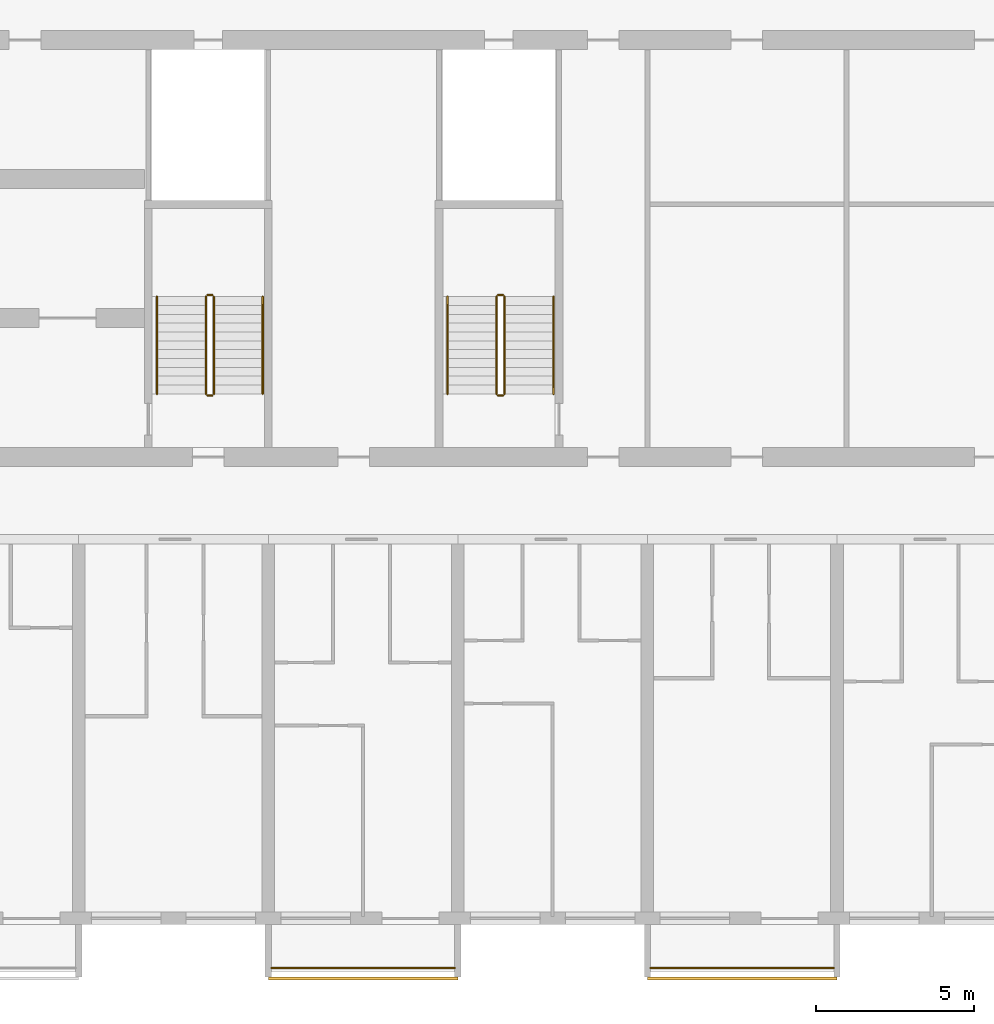
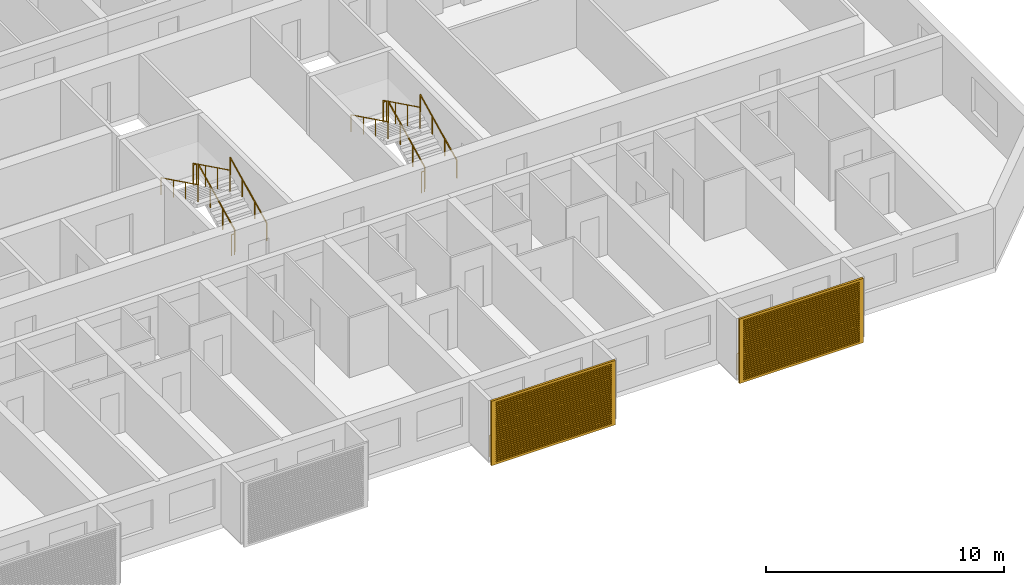
# One storey, part 30 of 38: 14 railings, 2 shading devices.
"""IFC4 building model written with IfcOpenShell, lengths in metres."""

from ifc_helpers import new_model, si_unit, direction, frame, origin, origin_2d, place, context, subcontext, project, spatial, polyline, circle, outline, extrude, source, transform, mapped, material, material_profile, profile_set, type_object, element, save


model = new_model("IFC4")

# Units and contexts
model_context = context("Model", 3, precision=1e-05, world=origin(), true_north=direction((0.0, 1.0)))
body_context = subcontext(model_context, "Body", "Model", "MODEL_VIEW")
ifc_project = project(units=[si_unit("LENGTHUNIT", "METRE"), si_unit("AREAUNIT", "SQUARE_METRE"), si_unit("VOLUMEUNIT", "CUBIC_METRE"), si_unit("PLANEANGLEUNIT", "RADIAN"), si_unit("MASSUNIT", "GRAM", prefix="KILO")], contexts=[model_context])

# Site, building, storey
site_placement = place(None, origin())
site = spatial("IfcSite", under=ifc_project, at=site_placement, CompositionType="ELEMENT")
building_placement = place(site_placement, origin())
building = spatial("IfcBuilding", under=site, at=building_placement, Name="Poui Terraces", CompositionType="ELEMENT")
storey_placement = place(building_placement, frame((0.0, 0.0, 43.199951171875)))
storey = spatial("IfcBuildingStorey", under=building, at=storey_placement, Name="L11", CompositionType="ELEMENT", Elevation=43.199951171875)

# Railings
ifc_material_1 = material(Name="Painted steel fretwork", Category="steel")
railing_type_1 = type_object("IfcRailingType", Name="BALCONY GUARD 1100", PredefinedType="GUARDRAIL", material=ifc_material_1)
for number, where, name in (
    (1, (72.10009765625, -1.570068359375, 0.0), "BALCONY GUARD"),
    (2, (84.10009765625, -1.570068359375, 0.0), "BALCONY GUARD"),
):
    element("IfcRailing", number, at=place(storey_placement, frame(where)), inside=storey, type_object=railing_type_1, Name=name, PredefinedType="GUARDRAIL", context=body_context, shape_type="SweptSolid", body=[
        extrude(circle(Radius=0.02392578125, at=origin_2d()), frame((0.0, 0.0, 1.076171875), z_axis=(1.0, 0.0, 0.0), x_axis=(0.0, 1.0, 0.0)), (0.0, 0.0, 1.0), 5.7998046875),
        extrude(circle(Radius=0.02099609375, at=origin_2d()), origin(), (0.0, 0.0, 1.0), 1.052001953125),
        extrude(circle(Radius=0.02099609375, at=origin_2d()), frame((0.966552734375, 0.0, 0.0)), (0.0, 0.0, 1.0), 1.052001953125),
        extrude(circle(Radius=0.02099609375, at=origin_2d()), frame((1.933349609375, 0.0, 0.0)), (0.0, 0.0, 1.0), 1.052001953125),
        extrude(circle(Radius=0.02099609375, at=origin_2d()), frame((2.89990234375, 0.0, 0.0)), (0.0, 0.0, 1.0), 1.052001953125),
        extrude(circle(Radius=0.02099609375, at=origin_2d()), frame((3.866455078125, 0.0, 0.0)), (0.0, 0.0, 1.0), 1.052001953125),
        extrude(circle(Radius=0.02099609375, at=origin_2d()), frame((4.833251953125, 0.0, 0.0)), (0.0, 0.0, 1.0), 1.052001953125),
        extrude(circle(Radius=0.02099609375, at=origin_2d()), frame((5.7998046875, 0.0, 0.0)), (0.0, 0.0, 1.0), 1.052001953125),
    ])
ifc_material_2 = material(Name="Galvanised steel balustrade", Category="steel")
railing_type_2 = type_object("IfcRailingType", Name="STAIR GUARD 1100", PredefinedType="GUARDRAIL", material=ifc_material_2)
railing_1_placement = place(storey_placement, frame((70.27490234375, 16.60009765625, 0.137451171875)))
element("IfcRailing", 3, at=railing_1_placement, inside=storey, type_object=railing_type_2, Name="L11 ST-CE stair guard 1", PredefinedType="GUARDRAIL", context=body_context, shape_type="SweptSolid", body=[
    extrude(circle(Radius=0.02392578125, at=origin_2d()), frame((0.0, 0.0, 1.076171875), z_axis=(0.0, 0.897578036475, 0.440855609512), x_axis=(-1.0, 0.0, 0.0)), (0.0, 0.0, 1.0), 3.43115234375),
    extrude(circle(Radius=0.02099609375, at=origin_2d()), origin(), (0.0, 0.0, 1.0), 1.052001953125),
    extrude(circle(Radius=0.02099609375, at=origin_2d()), frame((0.0, 1.026611328125, 0.504150390625)), (0.0, 0.0, 1.0), 1.052001953125),
    extrude(circle(Radius=0.02099609375, at=origin_2d()), frame((0.0, 2.05322265625, 1.008544921875)), (0.0, 0.0, 1.0), 1.052001953125),
    extrude(circle(Radius=0.02099609375, at=origin_2d()), frame((0.0, 3.079833984375, 1.5126953125)), (0.0, 0.0, 1.0), 1.052001953125),
])
railing_2_placement = place(storey_placement, frame((70.22509765625, 19.72998046875, 1.650146484375)))
element("IfcRailing", 4, at=railing_2_placement, inside=storey, type_object=railing_type_2, Name="L11 ST-CE stair guard 2", PredefinedType="GUARDRAIL", context=body_context, shape_type="SweptSolid", body=[
    extrude(circle(Radius=0.02392578125, at=origin_2d()), frame((0.0, 0.0, 1.076171875), z_axis=(-1.0, 0.0, 0.0), x_axis=(0.0, -1.0, 0.0)), (0.0, 0.0, 1.0), 0.150146484375),
    extrude(circle(Radius=0.02099609375, at=origin_2d()), origin(), (0.0, 0.0, 1.0), 1.052001953125),
    extrude(circle(Radius=0.02099609375, at=origin_2d()), frame((-0.150146484375, 0.0, 0.0)), (0.0, 0.0, 1.0), 1.052001953125),
])
railing_3_placement = place(storey_placement, frame((70.02490234375, 19.679931640625, 1.78759765625)))
element("IfcRailing", 5, at=railing_3_placement, inside=storey, type_object=railing_type_2, Name="L11 ST-CE stair guard 3", PredefinedType="GUARDRAIL", context=body_context, shape_type="SweptSolid", body=[
    extrude(circle(Radius=0.02392578125, at=origin_2d()), frame((0.0, 0.0, 1.076171875), z_axis=(0.0, -0.897606190399, 0.440798283751), x_axis=(1.0, 0.0, 0.0)), (0.0, 0.0, 1.0), 3.43115234375),
    extrude(circle(Radius=0.02099609375, at=origin_2d()), origin(), (0.0, 0.0, 1.0), 1.052001953125),
    extrude(circle(Radius=0.02099609375, at=origin_2d()), frame((0.0, -1.026611328125, 0.504150390625)), (0.0, 0.0, 1.0), 1.052001953125),
    extrude(circle(Radius=0.02099609375, at=origin_2d()), frame((0.0, -2.05322265625, 1.00830078125)), (0.0, 0.0, 1.0), 1.052001953125),
    extrude(circle(Radius=0.02099609375, at=origin_2d()), frame((0.0, -3.079833984375, 1.512451171875)), (0.0, 0.0, 1.0), 1.052001953125),
])
railing_4_placement = place(storey_placement, frame((70.22509765625, 16.550048828125, 0.0)))
element("IfcRailing", 6, at=railing_4_placement, inside=storey, type_object=railing_type_2, Name="L11 ST-CE stair guard 4", PredefinedType="GUARDRAIL", context=body_context, shape_type="SweptSolid", body=[
    extrude(circle(Radius=0.02392578125, at=origin_2d()), frame((0.0, 0.0, 1.076171875), z_axis=(-1.0, 0.0, 0.0), x_axis=(0.0, -1.0, 0.0)), (0.0, 0.0, 1.0), 0.150146484375),
    extrude(circle(Radius=0.02099609375, at=origin_2d()), origin(), (0.0, 0.0, 1.0), 1.052001953125),
    extrude(circle(Radius=0.02099609375, at=origin_2d()), frame((-0.150146484375, 0.0, 0.0)), (0.0, 0.0, 1.0), 1.052001953125),
])
railing_5_placement = place(storey_placement, frame((79.47509765625, 16.60009765625, 0.137451171875)))
element("IfcRailing", 7, at=railing_5_placement, inside=storey, type_object=railing_type_2, Name="L11 ST-E stair guard 1", PredefinedType="GUARDRAIL", context=body_context, shape_type="SweptSolid", body=[
    extrude(circle(Radius=0.02392578125, at=origin_2d()), frame((0.0, 0.0, 1.076171875), z_axis=(0.0, 0.897578036475, 0.440855609512), x_axis=(-1.0, 0.0, 0.0)), (0.0, 0.0, 1.0), 3.43115234375),
    extrude(circle(Radius=0.02099609375, at=origin_2d()), origin(), (0.0, 0.0, 1.0), 1.052001953125),
    extrude(circle(Radius=0.02099609375, at=origin_2d()), frame((0.0, 1.026611328125, 0.504150390625)), (0.0, 0.0, 1.0), 1.052001953125),
    extrude(circle(Radius=0.02099609375, at=origin_2d()), frame((0.0, 2.05322265625, 1.008544921875)), (0.0, 0.0, 1.0), 1.052001953125),
    extrude(circle(Radius=0.02099609375, at=origin_2d()), frame((0.0, 3.079833984375, 1.5126953125)), (0.0, 0.0, 1.0), 1.052001953125),
])
railing_6_placement = place(storey_placement, frame((79.425048828125, 19.72998046875, 1.650146484375)))
element("IfcRailing", 8, at=railing_6_placement, inside=storey, type_object=railing_type_2, Name="L11 ST-E stair guard 2", PredefinedType="GUARDRAIL", context=body_context, shape_type="SweptSolid", body=[
    extrude(circle(Radius=0.02392578125, at=origin_2d()), frame((0.0, 0.0, 1.076171875), z_axis=(-1.0, 0.0, 0.0), x_axis=(0.0, -1.0, 0.0)), (0.0, 0.0, 1.0), 0.150146484375),
    extrude(circle(Radius=0.02099609375, at=origin_2d()), origin(), (0.0, 0.0, 1.0), 1.052001953125),
    extrude(circle(Radius=0.02099609375, at=origin_2d()), frame((-0.150146484375, 0.0, 0.0)), (0.0, 0.0, 1.0), 1.052001953125),
])
railing_7_placement = place(storey_placement, frame((79.22509765625, 19.679931640625, 1.78759765625)))
element("IfcRailing", 9, at=railing_7_placement, inside=storey, type_object=railing_type_2, Name="L11 ST-E stair guard 3", PredefinedType="GUARDRAIL", context=body_context, shape_type="SweptSolid", body=[
    extrude(circle(Radius=0.02392578125, at=origin_2d()), frame((0.0, 0.0, 1.076171875), z_axis=(0.0, -0.897606190399, 0.440798283751), x_axis=(1.0, 0.0, 0.0)), (0.0, 0.0, 1.0), 3.43115234375),
    extrude(circle(Radius=0.02099609375, at=origin_2d()), origin(), (0.0, 0.0, 1.0), 1.052001953125),
    extrude(circle(Radius=0.02099609375, at=origin_2d()), frame((0.0, -1.026611328125, 0.504150390625)), (0.0, 0.0, 1.0), 1.052001953125),
    extrude(circle(Radius=0.02099609375, at=origin_2d()), frame((0.0, -2.05322265625, 1.00830078125)), (0.0, 0.0, 1.0), 1.052001953125),
    extrude(circle(Radius=0.02099609375, at=origin_2d()), frame((0.0, -3.079833984375, 1.512451171875)), (0.0, 0.0, 1.0), 1.052001953125),
])
railing_8_placement = place(storey_placement, frame((79.425048828125, 16.550048828125, 0.0)))
element("IfcRailing", 10, at=railing_8_placement, inside=storey, type_object=railing_type_2, Name="L11 ST-E stair guard 4", PredefinedType="GUARDRAIL", context=body_context, shape_type="SweptSolid", body=[
    extrude(circle(Radius=0.02392578125, at=origin_2d()), frame((0.0, 0.0, 1.076171875), z_axis=(-1.0, 0.0, 0.0), x_axis=(0.0, -1.0, 0.0)), (0.0, 0.0, 1.0), 0.150146484375),
    extrude(circle(Radius=0.02099609375, at=origin_2d()), origin(), (0.0, 0.0, 1.0), 1.052001953125),
    extrude(circle(Radius=0.02099609375, at=origin_2d()), frame((-0.150146484375, 0.0, 0.0)), (0.0, 0.0, 1.0), 1.052001953125),
])
ifc_material_3 = material(Name="Stainless steel handrail", Category="steel")
railing_type_3 = type_object("IfcRailingType", Name="STAIR HANDRAIL 900", PredefinedType="HANDRAIL", material=ifc_material_3)
railing_9_placement = place(storey_placement, frame((71.824951171875, 16.60009765625, 0.137451171875)))
element("IfcRailing", 11, at=railing_9_placement, inside=storey, type_object=railing_type_3, Name="L11 ST-CE stair handrail 1", PredefinedType="HANDRAIL", context=body_context, shape_type="SweptSolid", body=[
    extrude(circle(Radius=0.02392578125, at=origin_2d()), frame((0.0, 0.0, 0.8759765625), z_axis=(0.0, 0.897578036475, 0.440855609512), x_axis=(-1.0, 0.0, 0.0)), (0.0, 0.0, 1.0), 3.43115234375),
    extrude(circle(Radius=0.02099609375, at=origin_2d()), origin(), (0.0, 0.0, 1.0), 0.851806640625),
    extrude(circle(Radius=0.02099609375, at=origin_2d()), frame((0.0, 1.026611328125, 0.504150390625)), (0.0, 0.0, 1.0), 0.851806640625),
    extrude(circle(Radius=0.02099609375, at=origin_2d()), frame((0.0, 2.05322265625, 1.008544921875)), (0.0, 0.0, 1.0), 0.851806640625),
    extrude(circle(Radius=0.02099609375, at=origin_2d()), frame((0.0, 3.079833984375, 1.5126953125)), (0.0, 0.0, 1.0), 0.851806640625),
])
railing_10_placement = place(storey_placement, frame((68.47509765625, 19.679931640625, 1.78759765625)))
element("IfcRailing", 12, at=railing_10_placement, inside=storey, type_object=railing_type_3, Name="L11 ST-CE stair handrail 2", PredefinedType="HANDRAIL", context=body_context, shape_type="SweptSolid", body=[
    extrude(circle(Radius=0.02392578125, at=origin_2d()), frame((0.0, 0.0, 0.8759765625), z_axis=(0.0, -0.897606190399, 0.440798283751), x_axis=(1.0, 0.0, 0.0)), (0.0, 0.0, 1.0), 3.43115234375),
    extrude(circle(Radius=0.02099609375, at=origin_2d()), origin(), (0.0, 0.0, 1.0), 0.851806640625),
    extrude(circle(Radius=0.02099609375, at=origin_2d()), frame((0.0, -1.026611328125, 0.504150390625)), (0.0, 0.0, 1.0), 0.851806640625),
    extrude(circle(Radius=0.02099609375, at=origin_2d()), frame((0.0, -2.05322265625, 1.00830078125)), (0.0, 0.0, 1.0), 0.851806640625),
    extrude(circle(Radius=0.02099609375, at=origin_2d()), frame((0.0, -3.079833984375, 1.512451171875)), (0.0, 0.0, 1.0), 0.851806640625),
])
railing_11_placement = place(storey_placement, frame((81.02490234375, 16.60009765625, 0.137451171875)))
element("IfcRailing", 13, at=railing_11_placement, inside=storey, type_object=railing_type_3, Name="L11 ST-E stair handrail 1", PredefinedType="HANDRAIL", context=body_context, shape_type="SweptSolid", body=[
    extrude(circle(Radius=0.02392578125, at=origin_2d()), frame((0.0, 0.0, 0.8759765625), z_axis=(0.0, 0.897578036475, 0.440855609512), x_axis=(-1.0, 0.0, 0.0)), (0.0, 0.0, 1.0), 3.43115234375),
    extrude(circle(Radius=0.02099609375, at=origin_2d()), origin(), (0.0, 0.0, 1.0), 0.851806640625),
    extrude(circle(Radius=0.02099609375, at=origin_2d()), frame((0.0, 1.026611328125, 0.504150390625)), (0.0, 0.0, 1.0), 0.851806640625),
    extrude(circle(Radius=0.02099609375, at=origin_2d()), frame((0.0, 2.05322265625, 1.008544921875)), (0.0, 0.0, 1.0), 0.851806640625),
    extrude(circle(Radius=0.02099609375, at=origin_2d()), frame((0.0, 3.079833984375, 1.5126953125)), (0.0, 0.0, 1.0), 0.851806640625),
])
railing_12_placement = place(storey_placement, frame((77.675048828125, 19.679931640625, 1.78759765625)))
element("IfcRailing", 14, at=railing_12_placement, inside=storey, type_object=railing_type_3, Name="L11 ST-E stair handrail 2", PredefinedType="HANDRAIL", context=body_context, shape_type="SweptSolid", body=[
    extrude(circle(Radius=0.02392578125, at=origin_2d()), frame((0.0, 0.0, 0.8759765625), z_axis=(0.0, -0.897606190399, 0.440798283751), x_axis=(1.0, 0.0, 0.0)), (0.0, 0.0, 1.0), 3.43115234375),
    extrude(circle(Radius=0.02099609375, at=origin_2d()), origin(), (0.0, 0.0, 1.0), 0.851806640625),
    extrude(circle(Radius=0.02099609375, at=origin_2d()), frame((0.0, -1.026611328125, 0.504150390625)), (0.0, 0.0, 1.0), 0.851806640625),
    extrude(circle(Radius=0.02099609375, at=origin_2d()), frame((0.0, -2.05322265625, 1.00830078125)), (0.0, 0.0, 1.0), 0.851806640625),
    extrude(circle(Radius=0.02099609375, at=origin_2d()), frame((0.0, -3.079833984375, 1.512451171875)), (0.0, 0.0, 1.0), 0.851806640625),
])

# Shading devices
ifc_material_4 = material(Name="Aluminium louvre", Category="aluminium")
ifc_material_profile = material_profile(ifc_material_4, outline(polyline([(-3.0, -1.64990234375), (3.0, -1.64990234375), (3.0, 1.64990234375), (-3.0, 1.64990234375), (-3.0, -1.64990234375)]), holes=[polyline([(-2.800048828125, -1.530029296875), (2.800048828125, -1.530029296875), (2.800048828125, -1.469970703125), (-2.800048828125, -1.469970703125), (-2.800048828125, -1.530029296875)]), polyline([(-2.800048828125, -1.429931640625), (2.800048828125, -1.429931640625), (2.800048828125, -1.3701171875), (-2.800048828125, -1.3701171875), (-2.800048828125, -1.429931640625)]), polyline([(-2.800048828125, -1.330078125), (2.800048828125, -1.330078125), (2.800048828125, -1.27001953125), (-2.800048828125, -1.27001953125), (-2.800048828125, -1.330078125)]), polyline([(-2.800048828125, -1.22998046875), (2.800048828125, -1.22998046875), (2.800048828125, -1.169921875), (-2.800048828125, -1.169921875), (-2.800048828125, -1.22998046875)]), polyline([(-2.800048828125, -1.1298828125), (2.800048828125, -1.1298828125), (2.800048828125, -1.070068359375), (-2.800048828125, -1.070068359375), (-2.800048828125, -1.1298828125)]), polyline([(-2.800048828125, -1.030029296875), (2.800048828125, -1.030029296875), (2.800048828125, -0.969970703125), (-2.800048828125, -0.969970703125), (-2.800048828125, -1.030029296875)]), polyline([(-2.800048828125, -0.929931640625), (2.800048828125, -0.929931640625), (2.800048828125, -0.8701171875), (-2.800048828125, -0.8701171875), (-2.800048828125, -0.929931640625)]), polyline([(-2.800048828125, -0.830078125), (2.800048828125, -0.830078125), (2.800048828125, -0.77001953125), (-2.800048828125, -0.77001953125), (-2.800048828125, -0.830078125)]), polyline([(-2.800048828125, -0.72998046875), (2.800048828125, -0.72998046875), (2.800048828125, -0.669921875), (-2.800048828125, -0.669921875), (-2.800048828125, -0.72998046875)]), polyline([(-2.800048828125, -0.6298828125), (2.800048828125, -0.6298828125), (2.800048828125, -0.570068359375), (-2.800048828125, -0.570068359375), (-2.800048828125, -0.6298828125)]), polyline([(-2.800048828125, -0.530029296875), (2.800048828125, -0.530029296875), (2.800048828125, -0.469970703125), (-2.800048828125, -0.469970703125), (-2.800048828125, -0.530029296875)]), polyline([(-2.800048828125, -0.429931640625), (2.800048828125, -0.429931640625), (2.800048828125, -0.3701171875), (-2.800048828125, -0.3701171875), (-2.800048828125, -0.429931640625)]), polyline([(-2.800048828125, -0.330078125), (2.800048828125, -0.330078125), (2.800048828125, -0.27001953125), (-2.800048828125, -0.27001953125), (-2.800048828125, -0.330078125)]), polyline([(-2.800048828125, -0.22998046875), (2.800048828125, -0.22998046875), (2.800048828125, -0.169921875), (-2.800048828125, -0.169921875), (-2.800048828125, -0.22998046875)]), polyline([(-2.800048828125, -0.1298828125), (2.800048828125, -0.1298828125), (2.800048828125, -0.070068359375), (-2.800048828125, -0.070068359375), (-2.800048828125, -0.1298828125)]), polyline([(-2.800048828125, -0.030029296875), (2.800048828125, -0.030029296875), (2.800048828125, 0.030029296875), (-2.800048828125, 0.030029296875), (-2.800048828125, -0.030029296875)]), polyline([(-2.800048828125, 0.070068359375), (2.800048828125, 0.070068359375), (2.800048828125, 0.1298828125), (-2.800048828125, 0.1298828125), (-2.800048828125, 0.070068359375)]), polyline([(-2.800048828125, 0.169921875), (2.800048828125, 0.169921875), (2.800048828125, 0.22998046875), (-2.800048828125, 0.22998046875), (-2.800048828125, 0.169921875)]), polyline([(-2.800048828125, 0.27001953125), (2.800048828125, 0.27001953125), (2.800048828125, 0.330078125), (-2.800048828125, 0.330078125), (-2.800048828125, 0.27001953125)]), polyline([(-2.800048828125, 0.3701171875), (2.800048828125, 0.3701171875), (2.800048828125, 0.429931640625), (-2.800048828125, 0.429931640625), (-2.800048828125, 0.3701171875)]), polyline([(-2.800048828125, 0.469970703125), (2.800048828125, 0.469970703125), (2.800048828125, 0.530029296875), (-2.800048828125, 0.530029296875), (-2.800048828125, 0.469970703125)]), polyline([(-2.800048828125, 0.570068359375), (2.800048828125, 0.570068359375), (2.800048828125, 0.6298828125), (-2.800048828125, 0.6298828125), (-2.800048828125, 0.570068359375)]), polyline([(-2.800048828125, 0.669921875), (2.800048828125, 0.669921875), (2.800048828125, 0.72998046875), (-2.800048828125, 0.72998046875), (-2.800048828125, 0.669921875)]), polyline([(-2.800048828125, 0.77001953125), (2.800048828125, 0.77001953125), (2.800048828125, 0.830078125), (-2.800048828125, 0.830078125), (-2.800048828125, 0.77001953125)]), polyline([(-2.800048828125, 0.8701171875), (2.800048828125, 0.8701171875), (2.800048828125, 0.929931640625), (-2.800048828125, 0.929931640625), (-2.800048828125, 0.8701171875)]), polyline([(-2.800048828125, 0.969970703125), (2.800048828125, 0.969970703125), (2.800048828125, 1.030029296875), (-2.800048828125, 1.030029296875), (-2.800048828125, 0.969970703125)]), polyline([(-2.800048828125, 1.070068359375), (2.800048828125, 1.070068359375), (2.800048828125, 1.1298828125), (-2.800048828125, 1.1298828125), (-2.800048828125, 1.070068359375)]), polyline([(-2.800048828125, 1.169921875), (2.800048828125, 1.169921875), (2.800048828125, 1.22998046875), (-2.800048828125, 1.22998046875), (-2.800048828125, 1.169921875)]), polyline([(-2.800048828125, 1.27001953125), (2.800048828125, 1.27001953125), (2.800048828125, 1.330078125), (-2.800048828125, 1.330078125), (-2.800048828125, 1.27001953125)]), polyline([(-2.800048828125, 1.3701171875), (2.800048828125, 1.3701171875), (2.800048828125, 1.429931640625), (-2.800048828125, 1.429931640625), (-2.800048828125, 1.3701171875)]), polyline([(-2.800048828125, 1.469970703125), (2.800048828125, 1.469970703125), (2.800048828125, 1.530029296875), (-2.800048828125, 1.530029296875), (-2.800048828125, 1.469970703125)])]), Name="JALOUSIE LOUVRE SHUTTER 6000X3300")
ifc_profile_set = profile_set([ifc_material_profile], Name="Aluminium louvre")
shading_device_type = type_object("IfcShadingDeviceType", Name="JALOUSIE LOUVRE SHUTTER 6000X3300", PredefinedType="JALOUSIE", material=ifc_profile_set)
shared_shape = source(origin(), body_context, "Body", "SweptSolid", [
    extrude(outline(polyline([(-3.0, -1.64990234375), (3.0, -1.64990234375), (3.0, 1.64990234375), (-3.0, 1.64990234375), (-3.0, -1.64990234375)]), holes=[polyline([(-2.800048828125, -1.530029296875), (2.800048828125, -1.530029296875), (2.800048828125, -1.469970703125), (-2.800048828125, -1.469970703125), (-2.800048828125, -1.530029296875)]), polyline([(-2.800048828125, -1.429931640625), (2.800048828125, -1.429931640625), (2.800048828125, -1.3701171875), (-2.800048828125, -1.3701171875), (-2.800048828125, -1.429931640625)]), polyline([(-2.800048828125, -1.330078125), (2.800048828125, -1.330078125), (2.800048828125, -1.27001953125), (-2.800048828125, -1.27001953125), (-2.800048828125, -1.330078125)]), polyline([(-2.800048828125, -1.22998046875), (2.800048828125, -1.22998046875), (2.800048828125, -1.169921875), (-2.800048828125, -1.169921875), (-2.800048828125, -1.22998046875)]), polyline([(-2.800048828125, -1.1298828125), (2.800048828125, -1.1298828125), (2.800048828125, -1.070068359375), (-2.800048828125, -1.070068359375), (-2.800048828125, -1.1298828125)]), polyline([(-2.800048828125, -1.030029296875), (2.800048828125, -1.030029296875), (2.800048828125, -0.969970703125), (-2.800048828125, -0.969970703125), (-2.800048828125, -1.030029296875)]), polyline([(-2.800048828125, -0.929931640625), (2.800048828125, -0.929931640625), (2.800048828125, -0.8701171875), (-2.800048828125, -0.8701171875), (-2.800048828125, -0.929931640625)]), polyline([(-2.800048828125, -0.830078125), (2.800048828125, -0.830078125), (2.800048828125, -0.77001953125), (-2.800048828125, -0.77001953125), (-2.800048828125, -0.830078125)]), polyline([(-2.800048828125, -0.72998046875), (2.800048828125, -0.72998046875), (2.800048828125, -0.669921875), (-2.800048828125, -0.669921875), (-2.800048828125, -0.72998046875)]), polyline([(-2.800048828125, -0.6298828125), (2.800048828125, -0.6298828125), (2.800048828125, -0.570068359375), (-2.800048828125, -0.570068359375), (-2.800048828125, -0.6298828125)]), polyline([(-2.800048828125, -0.530029296875), (2.800048828125, -0.530029296875), (2.800048828125, -0.469970703125), (-2.800048828125, -0.469970703125), (-2.800048828125, -0.530029296875)]), polyline([(-2.800048828125, -0.429931640625), (2.800048828125, -0.429931640625), (2.800048828125, -0.3701171875), (-2.800048828125, -0.3701171875), (-2.800048828125, -0.429931640625)]), polyline([(-2.800048828125, -0.330078125), (2.800048828125, -0.330078125), (2.800048828125, -0.27001953125), (-2.800048828125, -0.27001953125), (-2.800048828125, -0.330078125)]), polyline([(-2.800048828125, -0.22998046875), (2.800048828125, -0.22998046875), (2.800048828125, -0.169921875), (-2.800048828125, -0.169921875), (-2.800048828125, -0.22998046875)]), polyline([(-2.800048828125, -0.1298828125), (2.800048828125, -0.1298828125), (2.800048828125, -0.070068359375), (-2.800048828125, -0.070068359375), (-2.800048828125, -0.1298828125)]), polyline([(-2.800048828125, -0.030029296875), (2.800048828125, -0.030029296875), (2.800048828125, 0.030029296875), (-2.800048828125, 0.030029296875), (-2.800048828125, -0.030029296875)]), polyline([(-2.800048828125, 0.070068359375), (2.800048828125, 0.070068359375), (2.800048828125, 0.1298828125), (-2.800048828125, 0.1298828125), (-2.800048828125, 0.070068359375)]), polyline([(-2.800048828125, 0.169921875), (2.800048828125, 0.169921875), (2.800048828125, 0.22998046875), (-2.800048828125, 0.22998046875), (-2.800048828125, 0.169921875)]), polyline([(-2.800048828125, 0.27001953125), (2.800048828125, 0.27001953125), (2.800048828125, 0.330078125), (-2.800048828125, 0.330078125), (-2.800048828125, 0.27001953125)]), polyline([(-2.800048828125, 0.3701171875), (2.800048828125, 0.3701171875), (2.800048828125, 0.429931640625), (-2.800048828125, 0.429931640625), (-2.800048828125, 0.3701171875)]), polyline([(-2.800048828125, 0.469970703125), (2.800048828125, 0.469970703125), (2.800048828125, 0.530029296875), (-2.800048828125, 0.530029296875), (-2.800048828125, 0.469970703125)]), polyline([(-2.800048828125, 0.570068359375), (2.800048828125, 0.570068359375), (2.800048828125, 0.6298828125), (-2.800048828125, 0.6298828125), (-2.800048828125, 0.570068359375)]), polyline([(-2.800048828125, 0.669921875), (2.800048828125, 0.669921875), (2.800048828125, 0.72998046875), (-2.800048828125, 0.72998046875), (-2.800048828125, 0.669921875)]), polyline([(-2.800048828125, 0.77001953125), (2.800048828125, 0.77001953125), (2.800048828125, 0.830078125), (-2.800048828125, 0.830078125), (-2.800048828125, 0.77001953125)]), polyline([(-2.800048828125, 0.8701171875), (2.800048828125, 0.8701171875), (2.800048828125, 0.929931640625), (-2.800048828125, 0.929931640625), (-2.800048828125, 0.8701171875)]), polyline([(-2.800048828125, 0.969970703125), (2.800048828125, 0.969970703125), (2.800048828125, 1.030029296875), (-2.800048828125, 1.030029296875), (-2.800048828125, 0.969970703125)]), polyline([(-2.800048828125, 1.070068359375), (2.800048828125, 1.070068359375), (2.800048828125, 1.1298828125), (-2.800048828125, 1.1298828125), (-2.800048828125, 1.070068359375)]), polyline([(-2.800048828125, 1.169921875), (2.800048828125, 1.169921875), (2.800048828125, 1.22998046875), (-2.800048828125, 1.22998046875), (-2.800048828125, 1.169921875)]), polyline([(-2.800048828125, 1.27001953125), (2.800048828125, 1.27001953125), (2.800048828125, 1.330078125), (-2.800048828125, 1.330078125), (-2.800048828125, 1.27001953125)]), polyline([(-2.800048828125, 1.3701171875), (2.800048828125, 1.3701171875), (2.800048828125, 1.429931640625), (-2.800048828125, 1.429931640625), (-2.800048828125, 1.3701171875)]), polyline([(-2.800048828125, 1.469970703125), (2.800048828125, 1.469970703125), (2.800048828125, 1.530029296875), (-2.800048828125, 1.530029296875), (-2.800048828125, 1.469970703125)])]), origin(), (0.0, 0.0, 1.0), 0.099853515625),
])
for number, where, z_axis, x_axis, name in (
    (15, (75.0, -1.85009765625, 1.449951171875), (0.0, -1.0, 0.0), (1.0, 0.0, 0.0), "JALOUSIE LOUVRE SHUTTER"),
    (16, (87.0, -1.85009765625, 1.449951171875), (0.0, -1.0, 0.0), (1.0, 0.0, 0.0), "JALOUSIE LOUVRE SHUTTER"),
):
    element("IfcShadingDevice", number, at=place(storey_placement, frame(where, z_axis=z_axis, x_axis=x_axis)), inside=storey, type_object=shading_device_type, Name=name, PredefinedType="JALOUSIE", context=body_context, shape_type="MappedRepresentation", body=[
        mapped(shared_shape, transform((0.0, 0.0, 0.0))),
    ])

save(model, "model.ifc")
